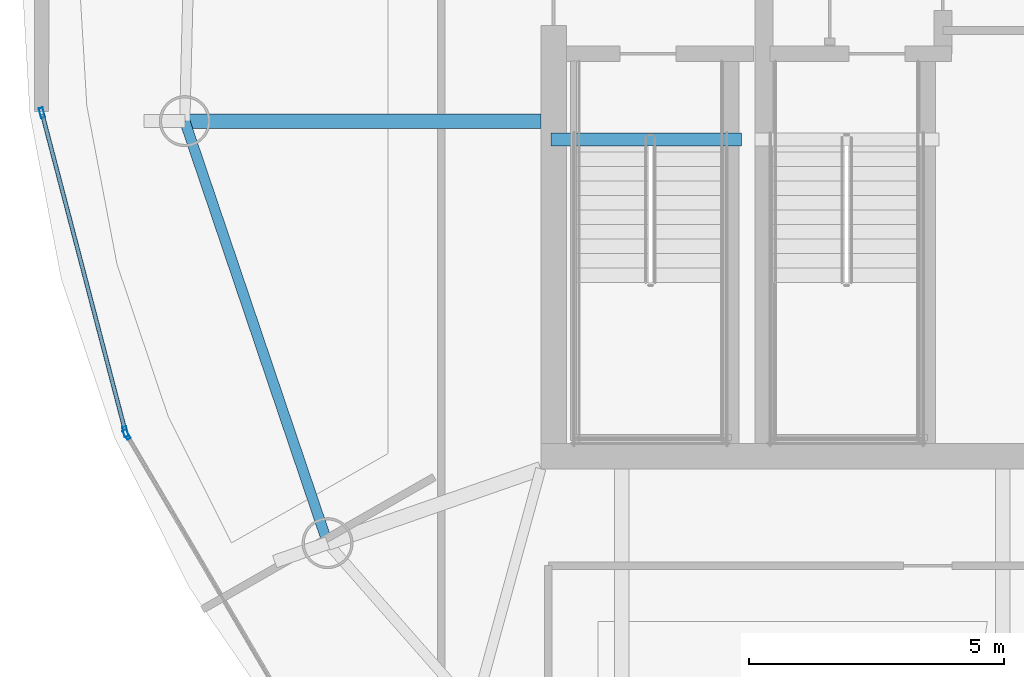
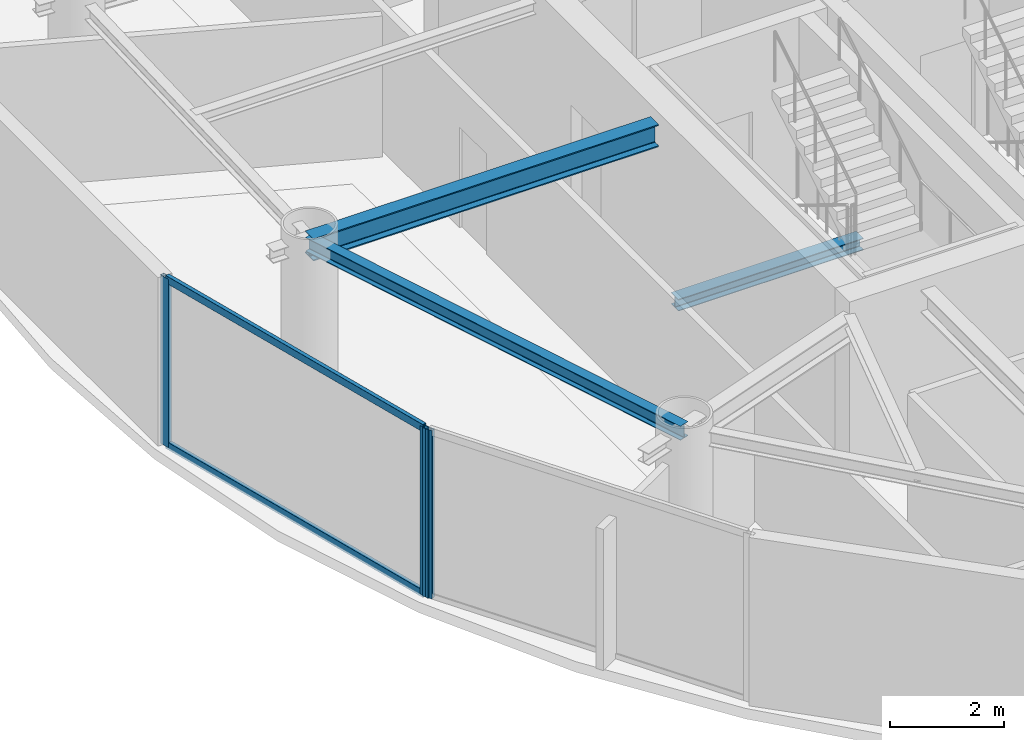
# One storey, part 5 of 20: 5 members, 3 beams, 2 elements without a shape of their own.
"""IFC4 building model written with IfcOpenShell, lengths in metres."""

from ifc_helpers import new_model, si_unit, direction, frame, origin, origin_2d, place, context, subcontext, project, spatial, hollow_rectangle, i_section, extrude, material, layer, layer_set, material_profile, profile_set, type_object, element, aggregate, save


model = new_model("IFC4")

# Units and contexts
model_context = context("Model", 3, precision=1e-05, world=origin(), true_north=direction((0.0, 1.0)))
body_context = subcontext(model_context, "Body", "Model", "MODEL_VIEW")
ifc_project = project(units=[si_unit("LENGTHUNIT", "METRE"), si_unit("AREAUNIT", "SQUARE_METRE"), si_unit("VOLUMEUNIT", "CUBIC_METRE"), si_unit("PLANEANGLEUNIT", "RADIAN"), si_unit("MASSUNIT", "GRAM", prefix="KILO")], contexts=[model_context])

# Site, building, storey
site_placement = place(None, origin())
site = spatial("IfcSite", under=ifc_project, at=site_placement, CompositionType="ELEMENT")
building_placement = place(site_placement, origin())
building = spatial("IfcBuilding", under=site, at=building_placement, Name="Bramvorn Convention Spire", CompositionType="ELEMENT")
storey_placement = place(building_placement, frame((0.0, 0.0, 303.64990234375)))
storey = spatial("IfcBuildingStorey", under=building, at=storey_placement, Name="L77", CompositionType="ELEMENT", Elevation=303.64990234375)

# Beams
ifc_material_1 = material(Name="Steel CSA G40.21 Grade 350 (350W)", Category="steel")
ifc_material_profile_1 = material_profile(ifc_material_1, i_section(OverallWidth=0.25390625, OverallDepth=0.2529296875, WebThickness=0.008544921875, FlangeThickness=0.01416015625, FilletRadius=0.011962890625, at=origin_2d()))
ifc_profile_set_1 = profile_set([ifc_material_profile_1], Name="Steel CSA G40.21 Grade 350 (350W) - W250X73")
beam_type_1 = type_object("IfcBeamType", Name="BM-W250X73", PredefinedType="BEAM", material=ifc_profile_set_1)
beam_1_placement = place(storey_placement, frame((26.949951171875, 25.010009765625, -0.12646484375), z_axis=(1.0, 0.0, 0.0), x_axis=(0.0, 1.0, 0.0)))
element("IfcBeam", 1, at=beam_1_placement, inside=storey, type_object=beam_type_1, Name="L77 ST1 stair arrival header beam", PredefinedType="BEAM", context=body_context, shape_type="SweptSolid", body=[
    extrude(i_section(OverallWidth=0.25390625, OverallDepth=0.2529296875, WebThickness=0.008544921875, FlangeThickness=0.01416015625, FilletRadius=0.011962890625, at=origin_2d()), origin(), (0.0, 0.0, 1.0), 3.739990234375),
])
ifc_material_profile_2 = material_profile(ifc_material_1, i_section(OverallWidth=0.202880859375, OverallDepth=0.302978515625, WebThickness=0.007568359375, FlangeThickness=0.01318359375, FilletRadius=0.013916015625, at=origin_2d()))
ifc_profile_set_2 = profile_set([ifc_material_profile_2], Name="Steel CSA G40.21 Grade 350 (350W) - W310X60")
beam_type_2 = type_object("IfcBeamType", Name="BM-W310X60", PredefinedType="JOIST", material=ifc_profile_set_2)
beam_2_placement = place(storey_placement, frame((19.765380859375, 25.37060546875, 3.448486328125), z_axis=(0.320531023763, -0.947238018032, 0.0), x_axis=(0.947238018032, 0.320531023763, 0.0)))
element("IfcBeam", 2, at=beam_2_placement, inside=storey, type_object=beam_type_2, Name="L77 mega-column ring beam 12", PredefinedType="JOIST", context=body_context, shape_type="SweptSolid", body=[
    extrude(i_section(OverallWidth=0.202880859375, OverallDepth=0.302978515625, WebThickness=0.007568359375, FlangeThickness=0.01318359375, FilletRadius=0.013916015625, at=origin_2d()), origin(), (0.0, 0.0, 1.0), 8.74169921875),
])
ifc_material_profile_3 = material_profile(ifc_material_1, i_section(OverallWidth=0.283935546875, OverallDepth=0.47607421875, WebThickness=0.014892578125, FlangeThickness=0.02392578125, FilletRadius=0.01806640625, at=origin_2d()))
ifc_profile_set_3 = profile_set([ifc_material_profile_3], Name="Steel CSA G40.21 Grade 350 (350W) - W460X158")
beam_type_3 = type_object("IfcBeamType", Name="BM-W460X158", PredefinedType="SPANDREL", material=ifc_profile_set_3)
beam_3_placement = place(storey_placement, frame((26.75, 25.37060546875, 3.362060546875), z_axis=(-1.0, 0.0, 0.0), x_axis=(0.0, -1.0, 0.0)))
element("IfcBeam", 3, at=beam_3_placement, inside=storey, type_object=beam_type_3, Name="L77 radial floor girder MC12", PredefinedType="SPANDREL", context=body_context, shape_type="SweptSolid", body=[
    extrude(i_section(OverallWidth=0.283935546875, OverallDepth=0.47607421875, WebThickness=0.014892578125, FlangeThickness=0.02392578125, FilletRadius=0.01806640625, at=origin_2d()), origin(), (0.0, 0.0, 1.0), 6.984619140625),
])

# Curtain wall, members
ifc_material_2 = material(Name="Anodised Bronze Unitised Curtain Wall", Category="aluminium")
ifc_layer = layer(ifc_material_2, 0.179931640625)
ifc_layer_set = layer_set([ifc_layer], Name="Anodised Bronze Unitised Curtain Wall - CW-OFF-FRIT")
curtain_wall_type = type_object("IfcCurtainWallType", Name="CW-OFF-FRIT", PredefinedType="USERDEFINED", material=ifc_layer_set)
curtain_wall_1_placement = place(storey_placement, origin())
curtain_wall_1 = element("IfcCurtainWall", 4, at=curtain_wall_1_placement, inside=storey, type_object=curtain_wall_type, Name="L77 fritted glass curtain wall 18", ObjectType="UNITISED CURTAIN WALL", PredefinedType="USERDEFINED")
ifc_material_3 = material(Name="Anodised Bronze Aluminium 6063-T6", Category="aluminium")
ifc_material_profile_4 = material_profile(ifc_material_3, hollow_rectangle(XDim=0.080078125, YDim=0.199951171875, WallThickness=0.00390625, InnerFilletRadius=0.0009765625, OuterFilletRadius=0.00390625, at=origin_2d()))
ifc_profile_set_4 = profile_set([ifc_material_profile_4], Name="Anodised Bronze Aluminium 6063-T6 - CWM80X200")
member_type_1 = type_object("IfcMemberType", Name="CW-MUL-180", PredefinedType="MULLION", material=ifc_profile_set_4)
member_1_placement = place(storey_placement, frame((18.60107421875, 19.2763671875, 0.0), z_axis=(0.0, 0.0, 1.0), x_axis=(-0.967406725556, -0.253227619643, 0.0)))
member_1 = element("IfcMember", 5, at=member_1_placement, type_object=member_type_1, Name="CW3 mullion 1", PredefinedType="MULLION", context=body_context, shape_type="SweptSolid", body=[
    extrude(hollow_rectangle(XDim=0.080078125, YDim=0.199951171875, WallThickness=0.00390625, InnerFilletRadius=0.0009765625, OuterFilletRadius=0.00390625, at=origin_2d()), origin(), (0.0, 0.0, 1.0), 3.60009765625),
])
member_2_placement = place(storey_placement, frame((16.96337890625, 25.532470703125, 0.0), z_axis=(0.0, 0.0, 1.0), x_axis=(-0.967406725556, -0.253227619643, 0.0)))
member_2 = element("IfcMember", 6, at=member_2_placement, type_object=member_type_1, Name="CW3 mullion 2", PredefinedType="MULLION", context=body_context, shape_type="SweptSolid", body=[
    extrude(hollow_rectangle(XDim=0.080078125, YDim=0.199951171875, WallThickness=0.00390625, InnerFilletRadius=0.0009765625, OuterFilletRadius=0.00390625, at=origin_2d()), origin(), (0.0, 0.0, 1.0), 3.60009765625),
])

# Curtain wall, member
curtain_wall_2_placement = place(storey_placement, origin())
curtain_wall_2 = element("IfcCurtainWall", 7, at=curtain_wall_2_placement, inside=storey, type_object=curtain_wall_type, Name="L77 fritted glass curtain wall 19", ObjectType="UNITISED CURTAIN WALL", PredefinedType="USERDEFINED")
member_3_placement = place(storey_placement, frame((18.623779296875, 19.221435546875, 0.0), z_axis=(0.0, 0.0, 1.0), x_axis=(-0.862240086013, -0.506499786844, 0.0)))
member_3 = element("IfcMember", 8, at=member_3_placement, type_object=member_type_1, Name="CW3 mullion 2", PredefinedType="MULLION", context=body_context, shape_type="SweptSolid", body=[
    extrude(hollow_rectangle(XDim=0.080078125, YDim=0.199951171875, WallThickness=0.00390625, InnerFilletRadius=0.0009765625, OuterFilletRadius=0.00390625, at=origin_2d()), origin(), (0.0, 0.0, 1.0), 3.60009765625),
])
aggregate(curtain_wall_2, [member_3])

# Member
ifc_material_profile_5 = material_profile(ifc_material_3, hollow_rectangle(XDim=0.080078125, YDim=0.159912109375, WallThickness=0.00390625, InnerFilletRadius=0.0009765625, OuterFilletRadius=0.00390625, at=origin_2d()))
ifc_profile_set_5 = profile_set([ifc_material_profile_5], Name="Anodised Bronze Aluminium 6063-T6 - CWT80X160")
member_type_2 = type_object("IfcMemberType", Name="CW-TRN-150", PredefinedType="USERDEFINED", material=ifc_profile_set_5)
member_4_placement = place(storey_placement, frame((18.593505859375, 19.305419921875, 0.030029296875), z_axis=(-0.253253259215, 0.967400013798, 0.0), x_axis=(-0.967400013798, -0.253253259215, 0.0)))
member_4 = element("IfcMember", 9, at=member_4_placement, type_object=member_type_2, Name="CW3 transom 1.1", ObjectType="TRANSOM", PredefinedType="USERDEFINED", context=body_context, shape_type="SweptSolid", body=[
    extrude(hollow_rectangle(XDim=0.080078125, YDim=0.159912109375, WallThickness=0.00390625, InnerFilletRadius=0.0009765625, OuterFilletRadius=0.00390625, at=origin_2d()), origin(), (0.0, 0.0, 1.0), 6.406982421875),
])

member_5_placement = place(storey_placement, frame((18.593505859375, 19.305419921875, 3.570068359375), z_axis=(-0.253253259215, 0.967400013798, 0.0), x_axis=(-0.967400013798, -0.253253259215, 0.0)))
member_5 = element("IfcMember", 10, at=member_5_placement, type_object=member_type_2, Name="CW3 transom 1.2", ObjectType="TRANSOM", PredefinedType="USERDEFINED", context=body_context, shape_type="SweptSolid", body=[
    extrude(hollow_rectangle(XDim=0.080078125, YDim=0.159912109375, WallThickness=0.00390625, InnerFilletRadius=0.0009765625, OuterFilletRadius=0.00390625, at=origin_2d()), origin(), (0.0, 0.0, 1.0), 6.406982421875),
])

aggregate(curtain_wall_1, [member_1, member_2, member_4, member_5])

save(model, "model.ifc")
